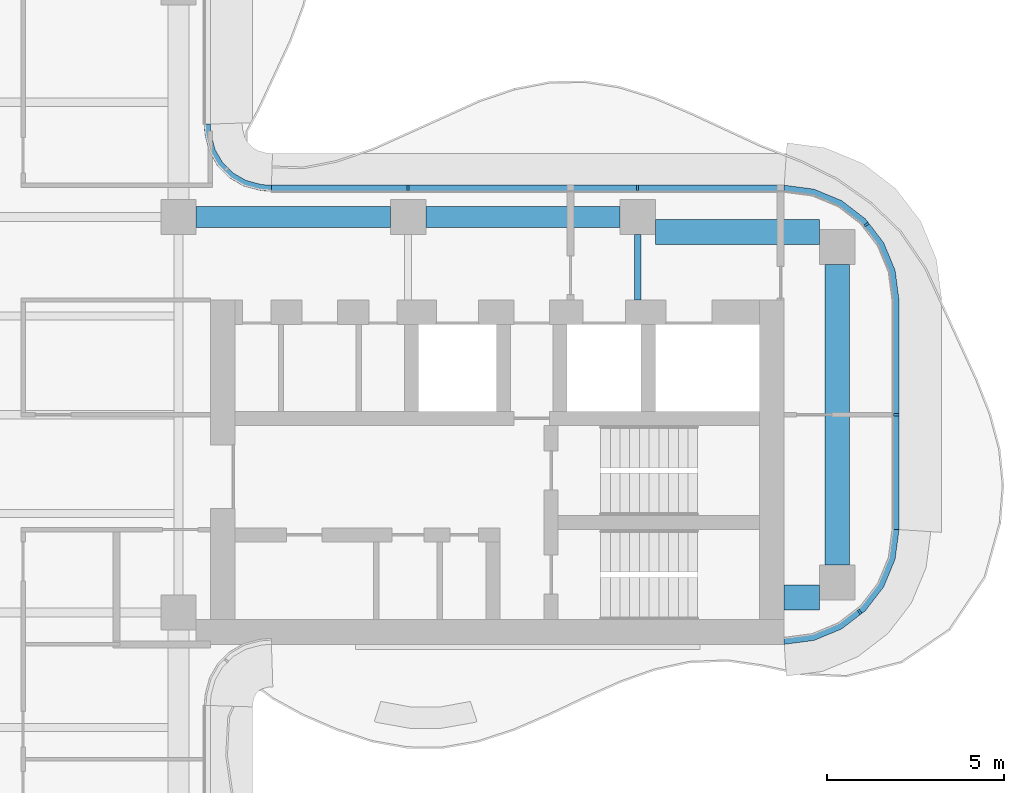
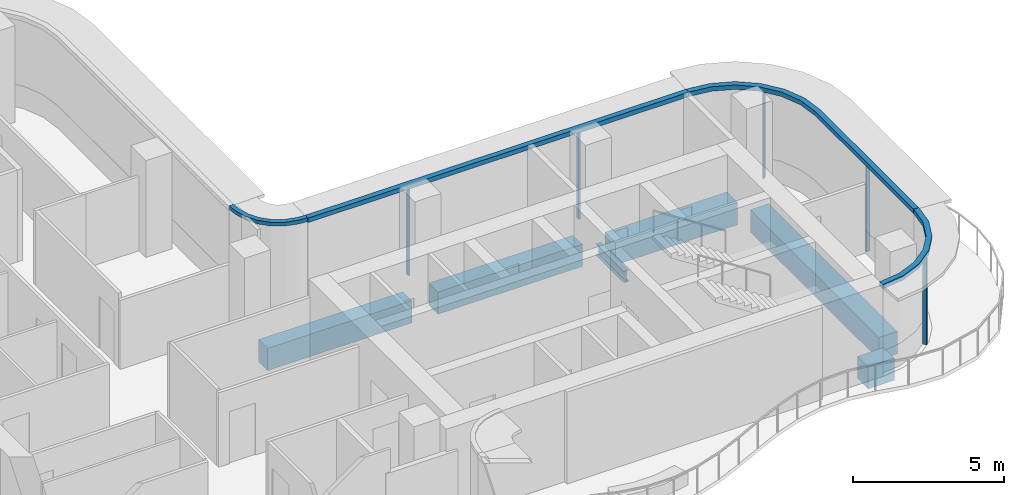
# One storey, part 6 of 16: 9 members, 6 beams, 4 elements without a shape of their own.
"""IFC4 building model written with IfcOpenShell, lengths in metres."""

from ifc_helpers import new_model, si_unit, direction, frame, origin, origin_2d, place, context, subcontext, project, spatial, polyline, rectangle, i_section, outline, extrude, source, transform, mapped, material, layer, layer_set, material_profile, profile_set, type_object, element, aggregate, save


model = new_model("IFC4")

# Units and contexts
model_context = context("Model", 3, precision=1e-05, world=origin(), true_north=direction((0.0, 1.0)))
body_context = subcontext(model_context, "Body", "Model", "MODEL_VIEW")
ifc_project = project(units=[si_unit("LENGTHUNIT", "METRE"), si_unit("AREAUNIT", "SQUARE_METRE"), si_unit("VOLUMEUNIT", "CUBIC_METRE"), si_unit("PLANEANGLEUNIT", "RADIAN"), si_unit("MASSUNIT", "GRAM", prefix="KILO")], contexts=[model_context])

# Site, building, storey
site_placement = place(None, origin())
site = spatial("IfcSite", under=ifc_project, at=site_placement, CompositionType="ELEMENT")
building_placement = place(site_placement, origin())
building = spatial("IfcBuilding", under=site, at=building_placement, Name="Trellis Farm Tower", CompositionType="ELEMENT")
storey_placement = place(building_placement, frame((0.0, 0.0, 291.10009765625)))
storey = spatial("IfcBuildingStorey", under=building, at=storey_placement, Name="L65", CompositionType="ELEMENT", Elevation=291.10009765625)

# Beams
ifc_material_1 = material(Name="Steel S355", Category="steel")
ifc_material_profile_1 = material_profile(ifc_material_1, i_section(OverallWidth=0.1904296875, OverallDepth=0.45703125, WebThickness=0.009033203125, FlangeThickness=0.014404296875, FilletRadius=0.01025390625, at=origin_2d()), Name="UB 457x191x74")
ifc_profile_set_1 = profile_set([ifc_material_profile_1], Name="Steel S355")
beam_type_1 = type_object("IfcBeamType", Name="UB 457x191x74", PredefinedType="BEAM", material=ifc_profile_set_1)
shared_shape_1 = source(origin(), body_context, "Body", "SweptSolid", [
    extrude(i_section(OverallWidth=0.1904296875, OverallDepth=0.45703125, WebThickness=0.009033203125, FlangeThickness=0.014404296875, FilletRadius=0.01025390625, at=origin_2d()), origin(), (0.0, 0.0, 1.0), 1.85009765625),
])
beam_1_placement = place(storey_placement, frame((18.60009765625, 3.25, -0.4287109375), z_axis=(0.0, 1.0, 0.0), x_axis=(-1.0, 0.0, 0.0)))
element("IfcBeam", 1, at=beam_1_placement, inside=storey, type_object=beam_type_1, Name="Girder", PredefinedType="BEAM", context=body_context, shape_type="MappedRepresentation", body=[
    mapped(shared_shape_1, transform((0.0, 0.0, 0.0))),
])
ifc_material_2 = material(Name="Concrete C60/75", Category="concrete")
ifc_material_profile_2 = material_profile(ifc_material_2, rectangle(XDim=0.60009765625, YDim=0.89990234375, at=origin_2d()), Name="RC spandrel beam 600x900 C60/75")
ifc_profile_set_2 = profile_set([ifc_material_profile_2], Name="Concrete C60/75")
beam_type_2 = type_object("IfcBeamType", Name="RC spandrel beam 600x900 C60/75", PredefinedType="SPANDREL", material=ifc_profile_set_2)
shared_shape_2 = source(origin(), body_context, "Body", "SweptSolid", [
    extrude(rectangle(XDim=0.60009765625, YDim=0.89990234375, at=origin_2d()), origin(), (0.0, 0.0, 1.0), 5.5),
])
for number, where, z_axis, x_axis, name in (
    (2, (6.10009765625, 5.60009765625, -0.650146484375), (1.0, 0.0, 0.0), (0.0, 1.0, 0.0), "Girder"),
    (3, (12.60009765625, 5.60009765625, -0.650146484375), (1.0, 0.0, 0.0), (0.0, 1.0, 0.0), "Girder"),
):
    element("IfcBeam", number, at=place(storey_placement, frame(where, z_axis=z_axis, x_axis=x_axis)), inside=storey, type_object=beam_type_2, Name=name, PredefinedType="SPANDREL", context=body_context, shape_type="MappedRepresentation", body=[
        mapped(shared_shape_2, transform((0.0, 0.0, 0.0))),
    ])
ifc_material_profile_3 = material_profile(ifc_material_2, rectangle(XDim=0.699951171875, YDim=0.89990234375, at=origin_2d()), Name="RC spandrel beam 700x900 C60/75")
ifc_profile_set_3 = profile_set([ifc_material_profile_3], Name="Concrete C60/75")
beam_type_3 = type_object("IfcBeamType", Name="RC spandrel beam 700x900 C60/75", PredefinedType="SPANDREL", material=ifc_profile_set_3)
shared_shape_3 = source(origin(), body_context, "Body", "SweptSolid", [
    extrude(rectangle(XDim=0.699951171875, YDim=0.89990234375, at=origin_2d()), origin(), (0.0, 0.0, 1.0), 1.0),
])
beam_2_placement = place(storey_placement, frame((22.75, -5.175048828125, -0.650146484375), z_axis=(1.0, 0.0, 0.0), x_axis=(0.0, 1.0, 0.0)))
element("IfcBeam", 4, at=beam_2_placement, inside=storey, type_object=beam_type_3, Name="Girder", PredefinedType="SPANDREL", context=body_context, shape_type="MappedRepresentation", body=[
    mapped(shared_shape_3, transform((0.0, 0.0, 0.0))),
])
shared_shape_4 = source(origin(), body_context, "Body", "SweptSolid", [
    extrude(rectangle(XDim=0.699951171875, YDim=0.89990234375, at=origin_2d()), origin(), (0.0, 0.0, 1.0), 4.64990234375),
])
beam_3_placement = place(storey_placement, frame((19.10009765625, 5.175048828125, -0.650146484375), z_axis=(1.0, 0.0, 0.0), x_axis=(0.0, 1.0, 0.0)))
element("IfcBeam", 5, at=beam_3_placement, inside=storey, type_object=beam_type_3, Name="Girder", PredefinedType="SPANDREL", context=body_context, shape_type="MappedRepresentation", body=[
    mapped(shared_shape_4, transform((0.0, 0.0, 0.0))),
])
shared_shape_5 = source(origin(), body_context, "Body", "SweptSolid", [
    extrude(rectangle(XDim=0.699951171875, YDim=0.89990234375, at=origin_2d()), origin(), (0.0, 0.0, 1.0), 8.5),
])
beam_4_placement = place(storey_placement, frame((24.25, -4.25, -0.650146484375), z_axis=(0.0, 1.0, 0.0), x_axis=(-1.0, 0.0, 0.0)))
element("IfcBeam", 6, at=beam_4_placement, inside=storey, type_object=beam_type_3, Name="Girder", PredefinedType="SPANDREL", context=body_context, shape_type="MappedRepresentation", body=[
    mapped(shared_shape_5, transform((0.0, 0.0, 0.0))),
])

# Curtain wall, member
ifc_material_3 = material(Name="Aluminium and glass curtain wall", Category="aluminium")
ifc_layer_1 = layer(ifc_material_3, 0.18994140625)
ifc_layer_set_1 = layer_set([ifc_layer_1], Name="RIBBON CURTAIN WALL CW1")
curtain_wall_type_1 = type_object("IfcCurtainWallType", Name="RIBBON CURTAIN WALL CW1", PredefinedType="NOTDEFINED", material=ifc_layer_set_1)
placement_1 = place(storey_placement, origin())
curtain_wall_1 = element("IfcCurtainWall", 7, at=placement_1, inside=storey, type_object=curtain_wall_type_1, Name="CW1 006", PredefinedType="NOTDEFINED")
ifc_material_4 = material(Name="Aluminium extrusion 6063-T6", Category="aluminium")
ifc_material_profile_4 = material_profile(ifc_material_4, rectangle(XDim=0.06005859375, YDim=0.14990234375, at=origin_2d()), Name="MULLION 60x150")
ifc_profile_set_4 = profile_set([ifc_material_profile_4], Name="Aluminium extrusion 6063-T6")
member_type_1 = type_object("IfcMemberType", Name="CW1 MULLION 60x150", PredefinedType="MULLION", material=ifc_profile_set_4)
shared_shape_6 = source(origin(), body_context, "Body", "SweptSolid", [
    extrude(rectangle(XDim=0.06005859375, YDim=0.14990234375, at=origin_2d()), origin(), (0.0, 0.0, 1.0), 3.52001953125),
])
member_1_placement = place(storey_placement, frame((24.885498046875, -5.578369140625, 0.0), z_axis=(0.0, 0.0, 1.0), x_axis=(0.793353340291, 0.608761429009, 0.0)))
member_1 = element("IfcMember", 8, at=member_1_placement, type_object=member_type_1, Name="MU1 006-01", PredefinedType="MULLION", context=body_context, shape_type="MappedRepresentation", body=[
    mapped(shared_shape_6, transform((0.0, 0.0, 0.0))),
])

# Curtain wall, members
curtain_wall_2 = element("IfcCurtainWall", 9, at=placement_1, inside=storey, type_object=curtain_wall_type_1, Name="CW1 007", PredefinedType="NOTDEFINED")
member_2_placement = place(storey_placement, frame((25.925048828125, 0.0, 0.0), z_axis=(0.0, 0.0, 1.0), x_axis=(0.0, 1.0, 0.0)))
member_2 = element("IfcMember", 10, at=member_2_placement, type_object=member_type_1, Name="MU1 007-01", PredefinedType="MULLION", context=body_context, shape_type="MappedRepresentation", body=[
    mapped(shared_shape_6, transform((0.0, 0.0, 0.0))),
])
member_3_placement = place(storey_placement, frame((25.078369140625, 5.385498046875, 0.0), z_axis=(0.0, 0.0, 1.0), x_axis=(-0.608761429009, 0.793353340291, 0.0)))
member_3 = element("IfcMember", 11, at=member_3_placement, type_object=member_type_1, Name="MU1 007-02", PredefinedType="MULLION", context=body_context, shape_type="MappedRepresentation", body=[
    mapped(shared_shape_6, transform((0.0, 0.0, 0.0))),
])

curtain_wall_3 = element("IfcCurtainWall", 12, at=placement_1, inside=storey, type_object=curtain_wall_type_1, Name="CW1 008", PredefinedType="NOTDEFINED")
member_4_placement = place(storey_placement, frame((18.60009765625, 6.425048828125, 0.0), z_axis=(0.0, 0.0, 1.0), x_axis=(-1.0, 0.0, 0.0)))
member_4 = element("IfcMember", 13, at=member_4_placement, type_object=member_type_1, Name="MU1 008-01", PredefinedType="MULLION", context=body_context, shape_type="MappedRepresentation", body=[
    mapped(shared_shape_6, transform((0.0, 0.0, 0.0))),
])
member_5_placement = place(storey_placement, frame((12.10009765625, 6.425048828125, 0.0), z_axis=(0.0, 0.0, 1.0), x_axis=(-1.0, 0.0, 0.0)))
member_5 = element("IfcMember", 14, at=member_5_placement, type_object=member_type_1, Name="MU1 008-02", PredefinedType="MULLION", context=body_context, shape_type="MappedRepresentation", body=[
    mapped(shared_shape_6, transform((0.0, 0.0, 0.0))),
])

# Curtain wall, member
ifc_layer_2 = layer(ifc_material_3, 0.166015625)
ifc_layer_set_2 = layer_set([ifc_layer_2], Name="WINTER GARDEN CURTAIN WALL CW3")
curtain_wall_type_2 = type_object("IfcCurtainWallType", Name="WINTER GARDEN CURTAIN WALL CW3", PredefinedType="NOTDEFINED", material=ifc_layer_set_2)
curtain_wall_4 = element("IfcCurtainWall", 15, at=placement_1, inside=storey, type_object=curtain_wall_type_2, Name="CW3 003", PredefinedType="NOTDEFINED")
ifc_layer_3 = layer(ifc_material_4, 0.169921875)
ifc_layer_set_3 = layer_set([ifc_layer_3], Name="Aluminium extrusion 6063-T6")
member_type_2 = type_object("IfcMemberType", Name="CW3 TRANSOM 170x150", PredefinedType="USERDEFINED", material=ifc_layer_set_3)
shared_shape_7 = source(origin(), body_context, "Body", "SweptSolid", [
    extrude(outline(polyline([(8.2314453125, 6.5), (8.01953125, 6.513916015625), (7.91552734375, 6.527587890625), (7.508544921875, 6.63671875), (7.144287109375, 6.846923828125), (6.846923828125, 7.144287109375), (6.63671875, 7.508544921875), (6.527587890625, 7.91552734375), (6.513916015625, 8.01953125), (6.5, 8.2314453125), (6.330078125, 8.225830078125), (6.3447265625, 8.0029296875), (6.360595703125, 7.88232421875), (6.478271484375, 7.44287109375), (6.7109375, 7.0400390625), (7.0400390625, 6.7109375), (7.44287109375, 6.478271484375), (7.88232421875, 6.360595703125), (8.0029296875, 6.3447265625), (8.225830078125, 6.330078125), (8.2314453125, 6.5)])), origin(), (0.0, 0.0, 1.0), 0.150146484375),
])
member_6_placement = place(storey_placement, frame((0.0, 0.0, 3.5498046875)))
member_6 = element("IfcMember", 16, at=member_6_placement, type_object=member_type_2, Name="TR3 003", ObjectType="TRANSOM", PredefinedType="USERDEFINED", context=body_context, shape_type="MappedRepresentation", body=[
    mapped(shared_shape_7, transform((0.0, 0.0, 0.0))),
])
aggregate(curtain_wall_4, [member_6])

# Member
ifc_layer_4 = layer(ifc_material_4, 0.199951171875)
ifc_layer_set_4 = layer_set([ifc_layer_4], Name="Aluminium extrusion 6063-T6")
member_type_3 = type_object("IfcMemberType", Name="CW1 TRANSOM 200x180", PredefinedType="USERDEFINED", material=ifc_layer_set_4)
shared_shape_8 = source(origin(), body_context, "Body", "SweptSolid", [
    extrude(outline(polyline([(22.75, -6.5), (23.591064453125, -6.38916015625), (24.375, -6.064697265625), (25.048095703125, -5.548095703125), (25.564697265625, -4.875), (25.88916015625, -4.091064453125), (26.0, -3.25), (25.800048828125, -3.23681640625), (25.6943359375, -4.0390625), (25.389892578125, -4.774169921875), (24.905517578125, -5.405517578125), (24.274169921875, -5.889892578125), (23.5390625, -6.1943359375), (22.73681640625, -6.300048828125), (22.75, -6.5)])), origin(), (0.0, 0.0, 1.0), 0.179931640625),
])
placement_2 = place(storey_placement, frame((0.0, 0.0, 3.52001953125)))
member_7 = element("IfcMember", 17, at=placement_2, type_object=member_type_3, Name="TR1 006", ObjectType="TRANSOM", PredefinedType="USERDEFINED", context=body_context, shape_type="MappedRepresentation", body=[
    mapped(shared_shape_8, transform((0.0, 0.0, 0.0))),
])

aggregate(curtain_wall_1, [member_1, member_7])

shared_shape_9 = source(origin(), body_context, "Body", "SweptSolid", [
    extrude(outline(polyline([(22.75, 6.5), (8.2314453125, 6.5), (8.224853515625, 6.300048828125), (22.73681640625, 6.300048828125), (22.75, 6.5)])), origin(), (0.0, 0.0, 1.0), 0.179931640625),
])
member_8 = element("IfcMember", 18, at=placement_2, type_object=member_type_3, Name="TR1 008", ObjectType="TRANSOM", PredefinedType="USERDEFINED", context=body_context, shape_type="MappedRepresentation", body=[
    mapped(shared_shape_9, transform((0.0, 0.0, 0.0))),
])

aggregate(curtain_wall_3, [member_4, member_5, member_8])

shared_shape_10 = source(origin(), body_context, "Body", "SweptSolid", [
    extrude(outline(polyline([(26.0, -3.25), (26.0, 3.25), (25.88916015625, 4.091064453125), (25.564697265625, 4.875), (25.048095703125, 5.548095703125), (24.375, 6.064697265625), (23.591064453125, 6.38916015625), (22.75, 6.5), (22.73681640625, 6.300048828125), (23.5390625, 6.1943359375), (24.274169921875, 5.889892578125), (24.905517578125, 5.405517578125), (25.389892578125, 4.774169921875), (25.6943359375, 4.0390625), (25.800048828125, 3.23681640625), (25.800048828125, -3.23681640625), (26.0, -3.25)])), origin(), (0.0, 0.0, 1.0), 0.179931640625),
])
member_9 = element("IfcMember", 19, at=placement_2, type_object=member_type_3, Name="TR1 007", ObjectType="TRANSOM", PredefinedType="USERDEFINED", context=body_context, shape_type="MappedRepresentation", body=[
    mapped(shared_shape_10, transform((0.0, 0.0, 0.0))),
])

aggregate(curtain_wall_2, [member_2, member_3, member_9])

save(model, "model.ifc")
